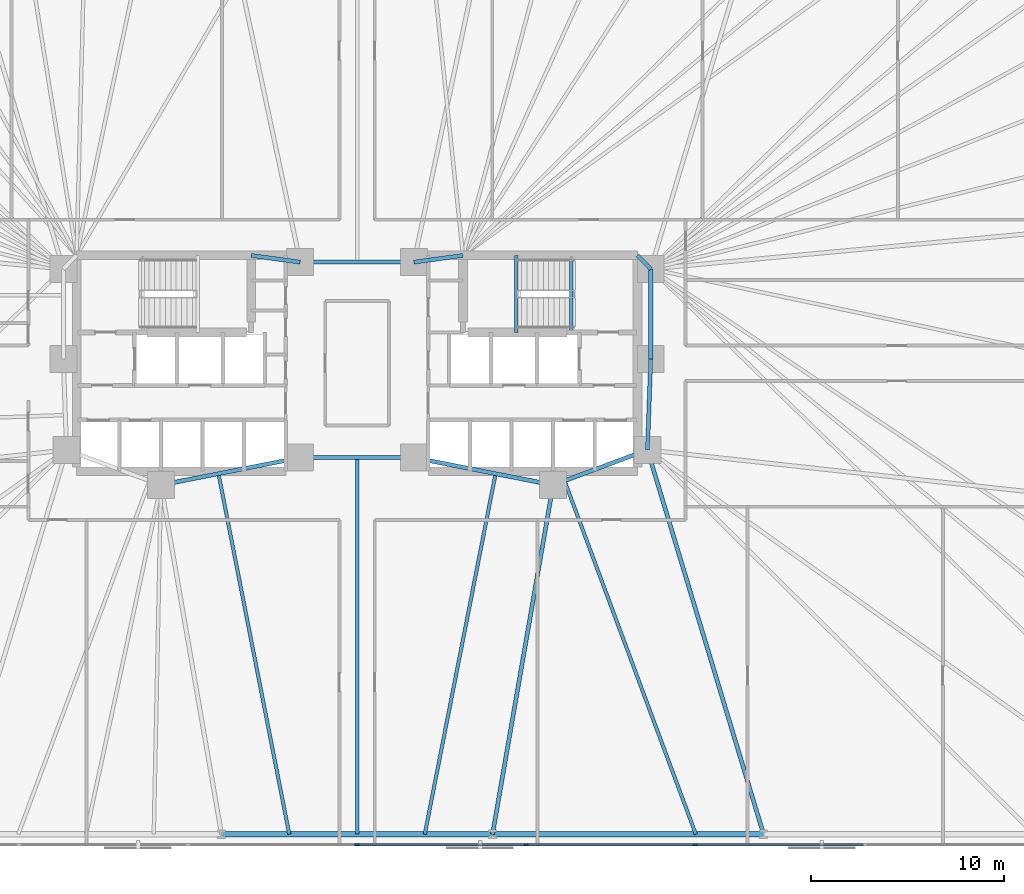
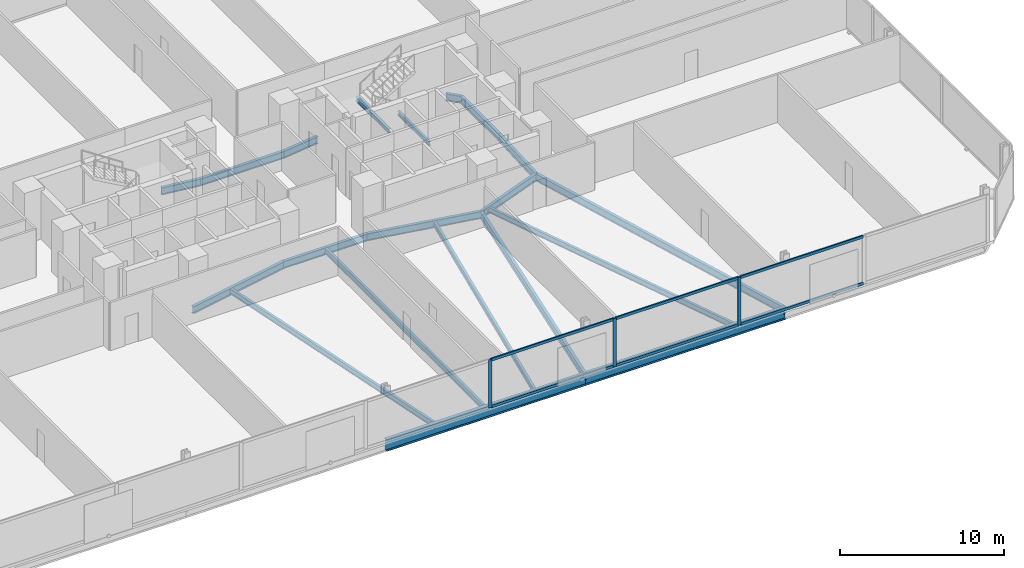
# One storey, part 7 of 17: 20 beams, 9 members, 1 element without a shape of its own.
"""IFC4 building model written with IfcOpenShell, lengths in metres."""

from ifc_helpers import new_model, si_unit, direction, frame, origin, origin_2d, place, context, subcontext, project, spatial, rectangle, i_section, extrude, material, material_profile, profile_set, type_object, element, aggregate, save


model = new_model("IFC4")

# Units and contexts
model_context = context("Model", 3, precision=1e-05, world=origin(), true_north=direction((0.0, 1.0)))
body_context = subcontext(model_context, "Body", "Model", "MODEL_VIEW")
ifc_project = project(units=[si_unit("LENGTHUNIT", "METRE"), si_unit("AREAUNIT", "SQUARE_METRE"), si_unit("VOLUMEUNIT", "CUBIC_METRE"), si_unit("PLANEANGLEUNIT", "RADIAN"), si_unit("MASSUNIT", "GRAM", prefix="KILO")], contexts=[model_context])

# Site, building, storey
site_placement = place(None, origin())
site = spatial("IfcSite", under=ifc_project, at=site_placement, CompositionType="ELEMENT")
building_placement = place(site_placement, origin())
building = spatial("IfcBuilding", under=site, at=building_placement, Name="Menara Jurai Vektor", CompositionType="ELEMENT")
storey_placement = place(building_placement, frame((0.0, 0.0, 52.199951171875)))
storey = spatial("IfcBuildingStorey", under=building, at=storey_placement, Name="L12", CompositionType="ELEMENT", Elevation=52.199951171875)

# Curtain wall, members
ifc_material_1 = material(Name="Anodised Pale Aluminium & Low-E Double Glazing", Category="aluminium")
curtain_wall_type = type_object("IfcCurtainWallType", Name="CW-BLK1", PredefinedType="NOTDEFINED", material=ifc_material_1)
curtain_wall_placement = place(storey_placement, origin())
curtain_wall = element("IfcCurtainWall", 1, at=curtain_wall_placement, inside=storey, type_object=curtain_wall_type, Name="Unitised Curtain Wall L12 F01", PredefinedType="NOTDEFINED")
ifc_material_2 = material(Name="Anodised Pale Aluminium Mullion", Category="aluminium")
ifc_material_profile_1 = material_profile(ifc_material_2, rectangle(XDim=0.094970703125, YDim=0.239990234375, at=origin_2d()), Name="ALU MUL 95x240")
ifc_profile_set_1 = profile_set([ifc_material_profile_1], Name="Anodised Pale Aluminium Mullion")
member_type_1 = type_object("IfcMemberType", Name="CW-BLK1-MUL", PredefinedType="MULLION", material=ifc_profile_set_1)
member_1_placement = place(storey_placement, frame((0.0, -25.0, 0.0), z_axis=(0.0, 0.0, 1.0), x_axis=(0.0, 1.0, 0.0)))
member_1 = element("IfcMember", 2, at=member_1_placement, type_object=member_type_1, Name="CW-01 mullion 5", PredefinedType="MULLION", context=body_context, shape_type="SweptSolid", body=[
    extrude(rectangle(XDim=0.094970703125, YDim=0.239990234375, at=origin_2d()), origin(), (0.0, 0.0, 1.0), 3.574951171875),
])
member_2_placement = place(storey_placement, frame((8.780029296875, -25.0, 0.0), z_axis=(0.0, 0.0, 1.0), x_axis=(0.0, 1.0, 0.0)))
member_2 = element("IfcMember", 3, at=member_2_placement, type_object=member_type_1, Name="CW-01 mullion 6", PredefinedType="MULLION", context=body_context, shape_type="SweptSolid", body=[
    extrude(rectangle(XDim=0.094970703125, YDim=0.239990234375, at=origin_2d()), origin(), (0.0, 0.0, 1.0), 3.574951171875),
])
member_3_placement = place(storey_placement, frame((17.56005859375, -25.0, 0.0), z_axis=(0.0, 0.0, 1.0), x_axis=(0.0, 1.0, 0.0)))
member_3 = element("IfcMember", 4, at=member_3_placement, type_object=member_type_1, Name="CW-01 mullion 7", PredefinedType="MULLION", context=body_context, shape_type="SweptSolid", body=[
    extrude(rectangle(XDim=0.094970703125, YDim=0.239990234375, at=origin_2d()), origin(), (0.0, 0.0, 1.0), 3.574951171875),
])
ifc_material_3 = material(Name="Anodised Pale Aluminium Transom", Category="aluminium")
ifc_material_profile_2 = material_profile(ifc_material_3, rectangle(XDim=0.094970703125, YDim=0.199951171875, at=origin_2d()), Name="ALU TRN 95x200")
ifc_profile_set_2 = profile_set([ifc_material_profile_2], Name="Anodised Pale Aluminium Transom")
member_type_2 = type_object("IfcMemberType", Name="CW-BLK1-TRN", PredefinedType="USERDEFINED", material=ifc_profile_set_2)
member_4_placement = place(storey_placement, frame((0.047607421875, -25.0, 0.047607421875), z_axis=(1.0, 0.0, 0.0), x_axis=(0.0, 1.0, 0.0)))
member_4 = element("IfcMember", 5, at=member_4_placement, type_object=member_type_2, Name="CW-01 transom 5.1", ObjectType="TRANSOM", PredefinedType="USERDEFINED", context=body_context, shape_type="SweptSolid", body=[
    extrude(rectangle(XDim=0.094970703125, YDim=0.199951171875, at=origin_2d()), origin(), (0.0, 0.0, 1.0), 8.684814453125),
])
member_5_placement = place(storey_placement, frame((0.047607421875, -25.0, 3.527587890625), z_axis=(1.0, 0.0, 0.0), x_axis=(0.0, 1.0, 0.0)))
member_5 = element("IfcMember", 6, at=member_5_placement, type_object=member_type_2, Name="CW-01 transom 5.2", ObjectType="TRANSOM", PredefinedType="USERDEFINED", context=body_context, shape_type="SweptSolid", body=[
    extrude(rectangle(XDim=0.094970703125, YDim=0.199951171875, at=origin_2d()), origin(), (0.0, 0.0, 1.0), 8.684814453125),
])
member_6_placement = place(storey_placement, frame((8.827392578125, -25.0, 0.047607421875), z_axis=(1.0, 0.0, 0.0), x_axis=(0.0, 1.0, 0.0)))
member_6 = element("IfcMember", 7, at=member_6_placement, type_object=member_type_2, Name="CW-01 transom 6.1", ObjectType="TRANSOM", PredefinedType="USERDEFINED", context=body_context, shape_type="SweptSolid", body=[
    extrude(rectangle(XDim=0.094970703125, YDim=0.199951171875, at=origin_2d()), origin(), (0.0, 0.0, 1.0), 8.68505859375),
])
member_7_placement = place(storey_placement, frame((8.827392578125, -25.0, 3.527587890625), z_axis=(1.0, 0.0, 0.0), x_axis=(0.0, 1.0, 0.0)))
member_7 = element("IfcMember", 8, at=member_7_placement, type_object=member_type_2, Name="CW-01 transom 6.2", ObjectType="TRANSOM", PredefinedType="USERDEFINED", context=body_context, shape_type="SweptSolid", body=[
    extrude(rectangle(XDim=0.094970703125, YDim=0.199951171875, at=origin_2d()), origin(), (0.0, 0.0, 1.0), 8.68505859375),
])
member_8_placement = place(storey_placement, frame((17.607421875, -25.0, 0.047607421875), z_axis=(1.0, 0.0, 0.0), x_axis=(0.0, 1.0, 0.0)))
member_8 = element("IfcMember", 9, at=member_8_placement, type_object=member_type_2, Name="CW-01 transom 7.1", ObjectType="TRANSOM", PredefinedType="USERDEFINED", context=body_context, shape_type="SweptSolid", body=[
    extrude(rectangle(XDim=0.094970703125, YDim=0.199951171875, at=origin_2d()), origin(), (0.0, 0.0, 1.0), 8.68505859375),
])
member_9_placement = place(storey_placement, frame((17.607421875, -25.0, 3.527587890625), z_axis=(1.0, 0.0, 0.0), x_axis=(0.0, 1.0, 0.0)))
member_9 = element("IfcMember", 10, at=member_9_placement, type_object=member_type_2, Name="CW-01 transom 7.2", ObjectType="TRANSOM", PredefinedType="USERDEFINED", context=body_context, shape_type="SweptSolid", body=[
    extrude(rectangle(XDim=0.094970703125, YDim=0.199951171875, at=origin_2d()), origin(), (0.0, 0.0, 1.0), 8.68505859375),
])
aggregate(curtain_wall, [member_1, member_2, member_3, member_4, member_5, member_6, member_7, member_8, member_9])

# Beams
ifc_material_4 = material(Name="Steel S355", Category="steel")
ifc_material_profile_3 = material_profile(ifc_material_4, i_section(OverallWidth=0.2109375, OverallDepth=0.5390625, WebThickness=0.011962890625, FlangeThickness=0.01904296875, FilletRadius=0.012939453125, at=origin_2d()), Name="UKB 533x210x109")
ifc_profile_set_3 = profile_set([ifc_material_profile_3], Name="Steel S355")
beam_type_1 = type_object("IfcBeamType", Name="STR-BM-533", PredefinedType="BEAM", material=ifc_profile_set_3)
beam_1_placement = place(storey_placement, frame((-5.5, 5.60009765625, -0.494384765625), z_axis=(0.990706818608, -0.136014703483, 0.0), x_axis=(0.136014703483, 0.990706818608, 0.0)))
element("IfcBeam", 11, at=beam_1_placement, inside=storey, type_object=beam_type_1, Name="Core Ring Header Girder L12-CHW-N2", PredefinedType="BEAM", context=body_context, shape_type="SweptSolid", body=[
    extrude(i_section(OverallWidth=0.2109375, OverallDepth=0.5390625, WebThickness=0.011962890625, FlangeThickness=0.01904296875, FilletRadius=0.012939453125, at=origin_2d()), origin(), (0.0, 0.0, 1.0), 2.573974609375),
])
beam_2_placement = place(storey_placement, frame((-10.179931640625, -6.320068359375, -0.494384765625), z_axis=(0.981249044334, 0.192744164614, 0.0), x_axis=(-0.192744164614, 0.981249044334, 0.0)))
element("IfcBeam", 12, at=beam_2_placement, inside=storey, type_object=beam_type_1, Name="Core Ring Header Girder L12-CHW-S2", PredefinedType="BEAM", context=body_context, shape_type="SweptSolid", body=[
    extrude(i_section(OverallWidth=0.2109375, OverallDepth=0.5390625, WebThickness=0.011962890625, FlangeThickness=0.01904296875, FilletRadius=0.012939453125, at=origin_2d()), origin(), (0.0, 0.0, 1.0), 7.3681640625),
])
beam_3_placement = place(storey_placement, frame((2.949951171875, 5.25, -0.494384765625), z_axis=(0.990706818608, 0.136014703483, 0.0), x_axis=(-0.136014703483, 0.990706818608, 0.0)))
element("IfcBeam", 13, at=beam_3_placement, inside=storey, type_object=beam_type_1, Name="Core Ring Header Girder L12-CHE-N1", PredefinedType="BEAM", context=body_context, shape_type="SweptSolid", body=[
    extrude(i_section(OverallWidth=0.2109375, OverallDepth=0.5390625, WebThickness=0.011962890625, FlangeThickness=0.01904296875, FilletRadius=0.012939453125, at=origin_2d()), origin(), (0.0, 0.0, 1.0), 2.573974609375),
])
beam_4_placement = place(storey_placement, frame((14.56005859375, 5.60009765625, -0.494384765625), z_axis=(0.701871936926, -0.712303154672, 0.0), x_axis=(0.712303154672, 0.701871936926, 0.0)))
element("IfcBeam", 14, at=beam_4_placement, inside=storey, type_object=beam_type_1, Name="Core Ring Header Girder L12-CHE-N2", PredefinedType="BEAM", context=body_context, shape_type="SweptSolid", body=[
    extrude(i_section(OverallWidth=0.2109375, OverallDepth=0.5390625, WebThickness=0.011962890625, FlangeThickness=0.01904296875, FilletRadius=0.012939453125, at=origin_2d()), origin(), (0.0, 0.0, 1.0), 0.98291015625),
])
beam_5_placement = place(storey_placement, frame((15.25, 0.219970703125, -0.494384765625), z_axis=(0.0, 1.0, 0.0), x_axis=(-1.0, 0.0, 0.0)))
element("IfcBeam", 15, at=beam_5_placement, inside=storey, type_object=beam_type_1, Name="Core Ring Header Girder L12-CHE-E1", PredefinedType="BEAM", context=body_context, shape_type="SweptSolid", body=[
    extrude(i_section(OverallWidth=0.2109375, OverallDepth=0.5390625, WebThickness=0.011962890625, FlangeThickness=0.01904296875, FilletRadius=0.012939453125, at=origin_2d()), origin(), (0.0, 0.0, 1.0), 4.679931640625),
])
beam_6_placement = place(storey_placement, frame((15.080078125, -4.5, -0.494384765625), z_axis=(0.035977314146, 0.999352606874, 0.0), x_axis=(-0.999352606874, 0.035977314146, 0.0)))
element("IfcBeam", 16, at=beam_6_placement, inside=storey, type_object=beam_type_1, Name="Core Ring Header Girder L12-CHE-E2", PredefinedType="BEAM", context=body_context, shape_type="SweptSolid", body=[
    extrude(i_section(OverallWidth=0.2109375, OverallDepth=0.5390625, WebThickness=0.011962890625, FlangeThickness=0.01904296875, FilletRadius=0.012939453125, at=origin_2d()), origin(), (0.0, 0.0, 1.0), 4.72314453125),
])
beam_7_placement = place(storey_placement, frame((10.179931640625, -6.320068359375, -0.494384765625), z_axis=(0.937424400887, 0.348188874925, 0.0), x_axis=(-0.348188874925, 0.937424400887, 0.0)))
element("IfcBeam", 17, at=beam_7_placement, inside=storey, type_object=beam_type_1, Name="Core Ring Header Girder L12-CHE-S1", PredefinedType="BEAM", context=body_context, shape_type="SweptSolid", body=[
    extrude(i_section(OverallWidth=0.2109375, OverallDepth=0.5390625, WebThickness=0.011962890625, FlangeThickness=0.01904296875, FilletRadius=0.012939453125, at=origin_2d()), origin(), (0.0, 0.0, 1.0), 5.227294921875),
])
beam_8_placement = place(storey_placement, frame((2.949951171875, -4.89990234375, -0.494384765625), z_axis=(0.981249044334, -0.192744164614, 0.0), x_axis=(0.192744164614, 0.981249044334, 0.0)))
element("IfcBeam", 18, at=beam_8_placement, inside=storey, type_object=beam_type_1, Name="Core Ring Header Girder L12-CHE-S2", PredefinedType="BEAM", context=body_context, shape_type="SweptSolid", body=[
    extrude(i_section(OverallWidth=0.2109375, OverallDepth=0.5390625, WebThickness=0.011962890625, FlangeThickness=0.01904296875, FilletRadius=0.012939453125, at=origin_2d()), origin(), (0.0, 0.0, 1.0), 7.3681640625),
])
for number, where, z_axis, x_axis, name in (
    (19, (-2.949951171875, -4.89990234375, -0.494384765625), (1.0, 0.0, 0.0), (0.0, 1.0, 0.0), "Core Ring Header Girder L12-CC-1"),
    (20, (-2.949951171875, 5.25, -0.494384765625), (1.0, 0.0, 0.0), (0.0, 1.0, 0.0), "Core Ring Header Girder L12-CC-2"),
):
    element("IfcBeam", number, at=place(storey_placement, frame(where, z_axis=z_axis, x_axis=x_axis)), inside=storey, type_object=beam_type_1, Name=name, PredefinedType="BEAM", context=body_context, shape_type="SweptSolid", body=[
        extrude(i_section(OverallWidth=0.2109375, OverallDepth=0.5390625, WebThickness=0.011962890625, FlangeThickness=0.01904296875, FilletRadius=0.012939453125, at=origin_2d()), origin(), (0.0, 0.0, 1.0), 5.89990234375),
    ])
beam_9_placement = place(storey_placement, frame((7.03564453125, -24.449951171875, -0.494384765625), z_axis=(0.170880325642, 0.985291791455, 0.0), x_axis=(-0.985291791455, 0.170880325642, 0.0)))
element("IfcBeam", 21, at=beam_9_placement, inside=storey, type_object=beam_type_1, Name="Radial Floor Girder L12-S4", PredefinedType="BEAM", context=body_context, shape_type="SweptSolid", body=[
    extrude(i_section(OverallWidth=0.2109375, OverallDepth=0.5390625, WebThickness=0.011962890625, FlangeThickness=0.01904296875, FilletRadius=0.012939453125, at=origin_2d()), origin(), (0.0, 0.0, 1.0), 18.400634765625),
])
beam_10_placement = place(storey_placement, frame((21.106689453125, -24.449951171875, -0.494384765625), z_axis=(-0.289179812203, 0.957274796604, 0.0), x_axis=(-0.957274796604, -0.289179812203, 0.0)))
element("IfcBeam", 22, at=beam_10_placement, inside=storey, type_object=beam_type_1, Name="Radial Floor Girder L12-S5", PredefinedType="BEAM", context=body_context, shape_type="SweptSolid", body=[
    extrude(i_section(OverallWidth=0.2109375, OverallDepth=0.5390625, WebThickness=0.011962890625, FlangeThickness=0.01904296875, FilletRadius=0.012939453125, at=origin_2d()), origin(), (0.0, 0.0, 1.0), 20.84033203125),
])
ifc_material_profile_4 = material_profile(ifc_material_4, i_section(OverallWidth=0.178955078125, OverallDepth=0.408935546875, WebThickness=0.009033203125, FlangeThickness=0.013916015625, FilletRadius=0.010009765625, at=origin_2d()), Name="UKB 406x178x67")
ifc_profile_set_4 = profile_set([ifc_material_profile_4], Name="Steel S355")
beam_type_2 = type_object("IfcBeamType", Name="STR-JS-406", PredefinedType="JOIST", material=ifc_profile_set_4)
beam_11_placement = place(storey_placement, frame((-3.517822265625, -24.449951171875, -0.429443359375), z_axis=(-0.192723076671, 0.981253186348, 0.0), x_axis=(-0.981253186348, -0.192723076671, 0.0)))
element("IfcBeam", 23, at=beam_11_placement, inside=storey, type_object=beam_type_2, Name="Radial Secondary Floor Joist L12-JS04", PredefinedType="JOIST", context=body_context, shape_type="SweptSolid", body=[
    extrude(i_section(OverallWidth=0.178955078125, OverallDepth=0.408935546875, WebThickness=0.009033203125, FlangeThickness=0.013916015625, FilletRadius=0.010009765625, at=origin_2d()), origin(), (0.0, 0.0, 1.0), 19.07421875),
])
beam_12_placement = place(storey_placement, frame((0.0, -24.449951171875, -0.429443359375), z_axis=(0.0, 1.0, 0.0), x_axis=(-1.0, 0.0, 0.0)))
element("IfcBeam", 24, at=beam_12_placement, inside=storey, type_object=beam_type_2, Name="Radial Secondary Floor Joist L12-JS05", PredefinedType="JOIST", context=body_context, shape_type="SweptSolid", body=[
    extrude(i_section(OverallWidth=0.178955078125, OverallDepth=0.408935546875, WebThickness=0.009033203125, FlangeThickness=0.013916015625, FilletRadius=0.010009765625, at=origin_2d()), origin(), (0.0, 0.0, 1.0), 19.550048828125),
])
beam_13_placement = place(storey_placement, frame((3.517822265625, -24.449951171875, -0.429443359375), z_axis=(0.192723076671, 0.981253186348, 0.0), x_axis=(-0.981253186348, 0.192723076671, 0.0)))
element("IfcBeam", 25, at=beam_13_placement, inside=storey, type_object=beam_type_2, Name="Radial Secondary Floor Joist L12-JS06", PredefinedType="JOIST", context=body_context, shape_type="SweptSolid", body=[
    extrude(i_section(OverallWidth=0.178955078125, OverallDepth=0.408935546875, WebThickness=0.009033203125, FlangeThickness=0.013916015625, FilletRadius=0.010009765625, at=origin_2d()), origin(), (0.0, 0.0, 1.0), 19.07421875),
])
beam_14_placement = place(storey_placement, frame((17.5888671875, -24.449951171875, -0.429443359375), z_axis=(-0.348179014223, 0.937428063403, 0.0), x_axis=(-0.937428063403, -0.348179014223, 0.0)))
element("IfcBeam", 26, at=beam_14_placement, inside=storey, type_object=beam_type_2, Name="Radial Secondary Floor Joist L12-JS07", PredefinedType="JOIST", context=body_context, shape_type="SweptSolid", body=[
    extrude(i_section(OverallWidth=0.178955078125, OverallDepth=0.408935546875, WebThickness=0.009033203125, FlangeThickness=0.013916015625, FilletRadius=0.010009765625, at=origin_2d()), origin(), (0.0, 0.0, 1.0), 19.5751953125),
])
ifc_material_profile_5 = material_profile(ifc_material_4, i_section(OverallWidth=0.1650390625, OverallDepth=0.302978515625, WebThickness=0.006103515625, FlangeThickness=0.010009765625, FilletRadius=0.009033203125, at=origin_2d()), Name="UKB 305x165x40")
ifc_profile_set_5 = profile_set([ifc_material_profile_5], Name="Steel S355")
beam_type_3 = type_object("IfcBeamType", Name="STR-LN-305", PredefinedType="LINTEL", material=ifc_profile_set_5)
beam_15_placement = place(storey_placement, frame((11.1201171875, 1.60009765625, -0.37646484375), z_axis=(0.0, 1.0, 0.0), x_axis=(-1.0, 0.0, 0.0)))
element("IfcBeam", 27, at=beam_15_placement, inside=storey, type_object=beam_type_3, Name="Stair Well Floor Trimmer ST2 L12", PredefinedType="LINTEL", context=body_context, shape_type="SweptSolid", body=[
    extrude(i_section(OverallWidth=0.1650390625, OverallDepth=0.302978515625, WebThickness=0.006103515625, FlangeThickness=0.010009765625, FilletRadius=0.009033203125, at=origin_2d()), origin(), (0.0, 0.0, 1.0), 3.81982421875),
])
beam_16_placement = place(storey_placement, frame((8.27001953125, 1.60009765625, 1.548583984375), z_axis=(0.0, 1.0, 0.0), x_axis=(-1.0, 0.0, 0.0)))
element("IfcBeam", 28, at=beam_16_placement, inside=storey, type_object=beam_type_3, Name="Stair Half-Landing Nosing Trimmer ST2-1 L12", PredefinedType="LINTEL", context=body_context, shape_type="SweptSolid", body=[
    extrude(i_section(OverallWidth=0.1650390625, OverallDepth=0.302978515625, WebThickness=0.006103515625, FlangeThickness=0.010009765625, FilletRadius=0.009033203125, at=origin_2d()), origin(), (0.0, 0.0, 1.0), 4.0),
])
ifc_material_5 = material(Name="Steel S460", Category="steel")
ifc_material_profile_6 = material_profile(ifc_material_5, i_section(OverallWidth=0.2939453125, OverallDepth=0.85107421875, WebThickness=0.01611328125, FlangeThickness=0.027099609375, FilletRadius=0.01806640625, at=origin_2d()), Name="UKB 838x292x226")
ifc_profile_set_6 = profile_set([ifc_material_profile_6], Name="Steel S460")
beam_type_4 = type_object("IfcBeamType", Name="STR-SP-838", PredefinedType="SPANDREL", material=ifc_profile_set_6)
beam_17_placement = place(storey_placement, frame((-7.03564453125, -24.449951171875, -0.650390625), z_axis=(1.0, 0.0, 0.0), x_axis=(0.0, 1.0, 0.0)))
element("IfcBeam", 29, at=beam_17_placement, inside=storey, type_object=beam_type_4, Name="Exoskeleton Spandrel Beam L12-03", PredefinedType="SPANDREL", context=body_context, shape_type="SweptSolid", body=[
    extrude(i_section(OverallWidth=0.2939453125, OverallDepth=0.85107421875, WebThickness=0.01611328125, FlangeThickness=0.027099609375, FilletRadius=0.01806640625, at=origin_2d()), origin(), (0.0, 0.0, 1.0), 14.0712890625),
])
beam_18_placement = place(storey_placement, frame((7.03564453125, -24.449951171875, -0.650390625), z_axis=(1.0, 0.0, 0.0), x_axis=(0.0, 1.0, 0.0)))
element("IfcBeam", 30, at=beam_18_placement, inside=storey, type_object=beam_type_4, Name="Exoskeleton Spandrel Beam L12-04", PredefinedType="SPANDREL", context=body_context, shape_type="SweptSolid", body=[
    extrude(i_section(OverallWidth=0.2939453125, OverallDepth=0.85107421875, WebThickness=0.01611328125, FlangeThickness=0.027099609375, FilletRadius=0.01806640625, at=origin_2d()), origin(), (0.0, 0.0, 1.0), 14.071044921875),
])

save(model, "model.ifc")
